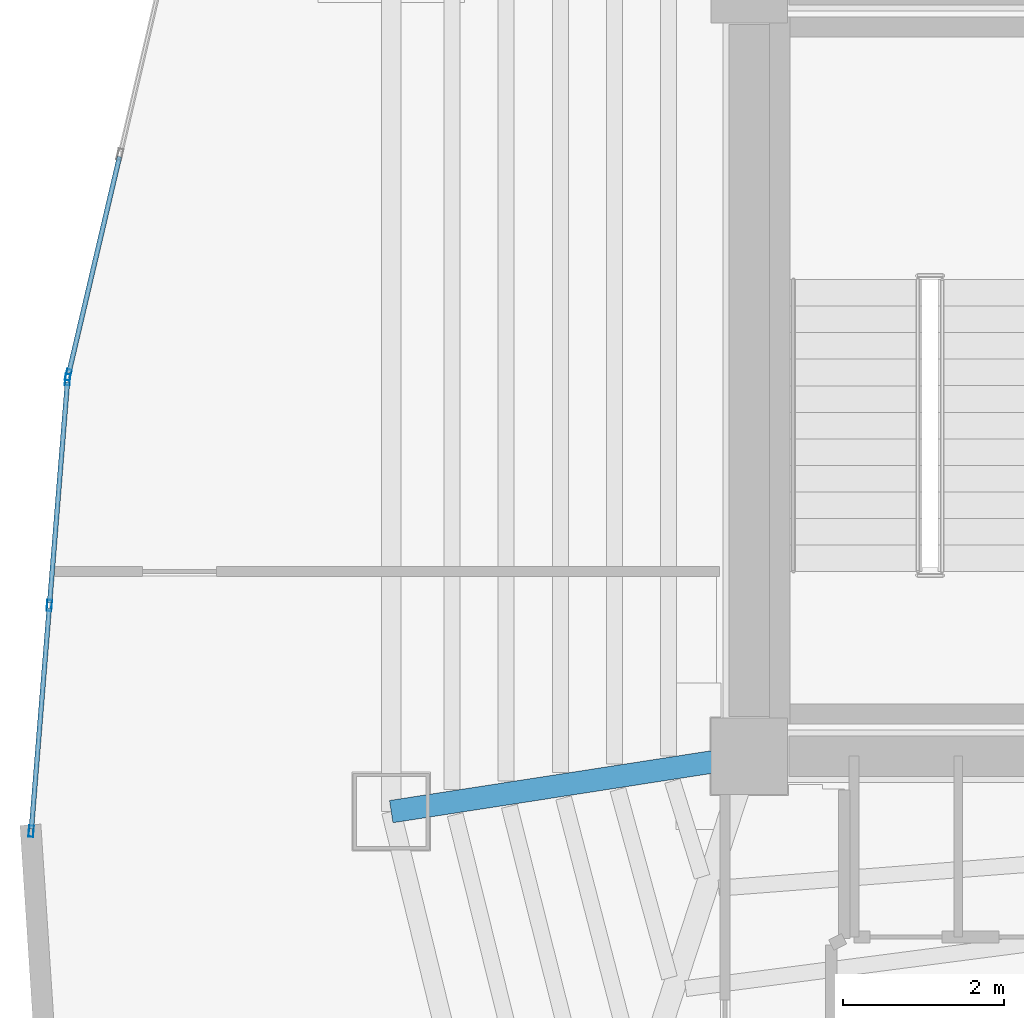
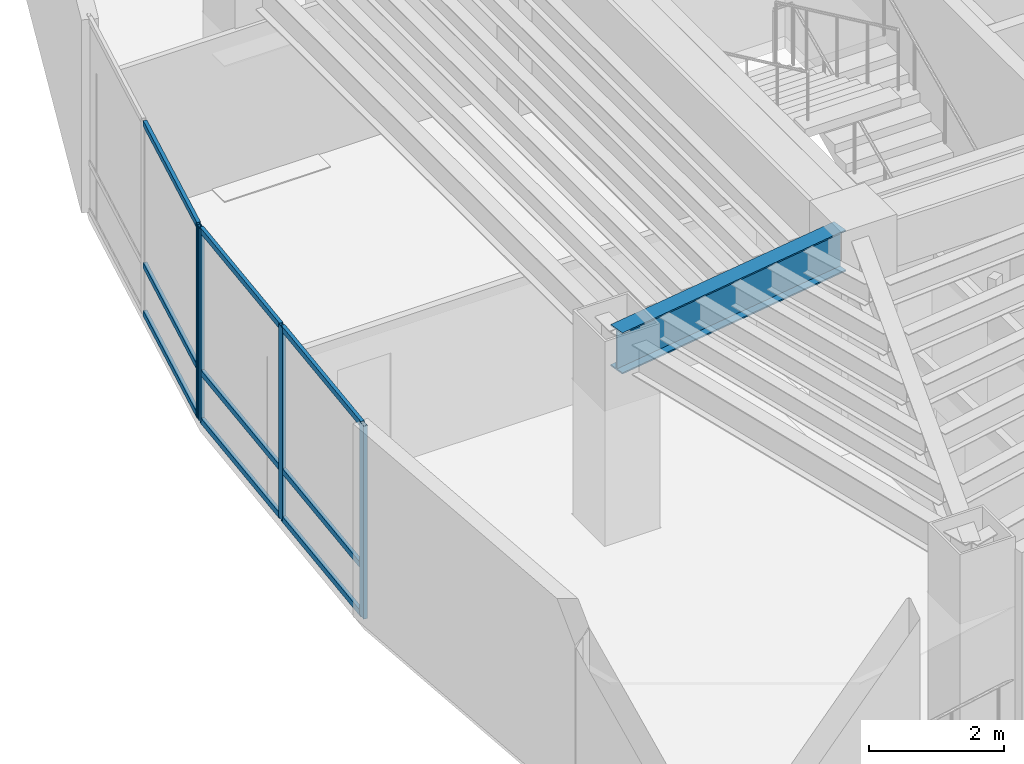
# One storey, part 2 of 15: 13 members, 1 beam, 2 elements without a shape of their own.
"""IFC4 building model written with IfcOpenShell, lengths in metres."""

from ifc_helpers import new_model, si_unit, direction, frame, origin, origin_2d, place, context, subcontext, project, spatial, hollow_rectangle, i_section, extrude, material, layer, layer_set, material_profile, profile_set, type_object, element, aggregate, save


model = new_model("IFC4")

# Units and contexts
model_context = context("Model", 3, precision=1e-05, world=origin(), true_north=direction((0.0, 1.0)))
body_context = subcontext(model_context, "Body", "Model", "MODEL_VIEW")
ifc_project = project(units=[si_unit("LENGTHUNIT", "METRE"), si_unit("AREAUNIT", "SQUARE_METRE"), si_unit("VOLUMEUNIT", "CUBIC_METRE"), si_unit("PLANEANGLEUNIT", "RADIAN"), si_unit("MASSUNIT", "GRAM", prefix="KILO")], contexts=[model_context])

# Site, building, storey
site_placement = place(None, origin())
site = spatial("IfcSite", under=ifc_project, at=site_placement, CompositionType="ELEMENT")
building_placement = place(site_placement, origin())
building = spatial("IfcBuilding", under=site, at=building_placement, Name="Menara Vayukalpa", CompositionType="ELEMENT")
storey_placement = place(building_placement, frame((0.0, 0.0, 180.360107421875)))
storey = spatial("IfcBuildingStorey", under=building, at=storey_placement, Name="L45", CompositionType="ELEMENT", Elevation=180.360107421875)

# Beam
ifc_material_1 = material(Name="Steel S355", Category="steel")
ifc_material_profile_1 = material_profile(ifc_material_1, i_section(OverallWidth=0.280029296875, OverallDepth=0.75, WebThickness=0.013916015625, FlangeThickness=0.02490234375, at=origin_2d()), Name="WF 750x280x14x25")
ifc_profile_set_1 = profile_set([ifc_material_profile_1], Name="Steel S355")
beam_type = type_object("IfcBeamType", Name="BM-PG4", PredefinedType="BEAM", material=ifc_profile_set_1)
beam_placement = place(storey_placement, frame((17.552978515625, 17.161865234375, 3.125), z_axis=(-0.988244781219, -0.152879862617, 0.0), x_axis=(0.152879862617, -0.988244781219, 0.0)))
element("IfcBeam", 1, at=beam_placement, inside=storey, type_object=beam_type, Name="L45 Primary Radial Girder RG06", PredefinedType="BEAM", context=body_context, shape_type="SweptSolid", body=[
    extrude(i_section(OverallWidth=0.280029296875, OverallDepth=0.75, WebThickness=0.013916015625, FlangeThickness=0.02490234375, at=origin_2d()), origin(), (0.0, 0.0, 1.0), 4.259033203125),
])

# Curtain wall, member
ifc_material_2 = material(Name="Anodised Terracotta Aluminium Alloy 6063-T6", Category="masonry")
ifc_layer = layer(ifc_material_2, 0.139892578125)
ifc_layer_set = layer_set([ifc_layer], Name="Anodised Terracotta Aluminium Alloy 6063-T6")
curtain_wall_type = type_object("IfcCurtainWallType", Name="CW-CW5", PredefinedType="USERDEFINED", material=ifc_layer_set)
curtain_wall_1_placement = place(storey_placement, origin())
curtain_wall_1 = element("IfcCurtainWall", 2, at=curtain_wall_1_placement, inside=storey, type_object=curtain_wall_type, Name="L45 High Rise Tapered Curtain Wall CW5 10", ObjectType="UNITISED", PredefinedType="USERDEFINED")
ifc_material_3 = material(Name="Anodised Terracotta Aluminium Alloy 6063-T6", Category="masonry")
ifc_material_profile_2 = material_profile(ifc_material_3, hollow_rectangle(XDim=0.06005859375, YDim=0.139892578125, WallThickness=0.00341796875, at=origin_2d()), Name="ALU 60x140x3.5")
ifc_profile_set_2 = profile_set([ifc_material_profile_2], Name="Anodised Terracotta Aluminium Alloy 6063-T6")
member_type_1 = type_object("IfcMemberType", Name="CWM-CW5", PredefinedType="MULLION", material=ifc_profile_set_2)
member_1_placement = place(storey_placement, frame((9.326416015625, 21.94482421875, 0.0), z_axis=(0.0, 0.0, 1.0), x_axis=(0.973626241643, -0.228148946052, 0.0)))
member_1 = element("IfcMember", 3, at=member_1_placement, type_object=member_type_1, Name="CW5 mullion 3", PredefinedType="MULLION", context=body_context, shape_type="SweptSolid", body=[
    extrude(hollow_rectangle(XDim=0.06005859375, YDim=0.139892578125, WallThickness=0.00341796875, at=origin_2d()), origin(), (0.0, 0.0, 1.0), 3.5),
])

# Curtain wall, members
curtain_wall_2_placement = place(storey_placement, origin())
curtain_wall_2 = element("IfcCurtainWall", 4, at=curtain_wall_2_placement, inside=storey, type_object=curtain_wall_type, Name="L45 High Rise Tapered Curtain Wall CW5 11", ObjectType="UNITISED", PredefinedType="USERDEFINED")
member_2_placement = place(storey_placement, frame((9.317138671875, 21.8857421875, 0.0), z_axis=(0.0, 0.0, 1.0), x_axis=(0.996764794256, -0.080373782609, 0.0)))
member_2 = element("IfcMember", 5, at=member_2_placement, type_object=member_type_1, Name="CW5 mullion 1", PredefinedType="MULLION", context=body_context, shape_type="SweptSolid", body=[
    extrude(hollow_rectangle(XDim=0.06005859375, YDim=0.139892578125, WallThickness=0.00341796875, at=origin_2d()), origin(), (0.0, 0.0, 1.0), 3.5),
])
member_3_placement = place(storey_placement, frame((9.090576171875, 19.076416015625, 0.0), z_axis=(0.0, 0.0, 1.0), x_axis=(0.996764794256, -0.080373782609, 0.0)))
member_3 = element("IfcMember", 6, at=member_3_placement, type_object=member_type_1, Name="CW5 mullion 2", PredefinedType="MULLION", context=body_context, shape_type="SweptSolid", body=[
    extrude(hollow_rectangle(XDim=0.06005859375, YDim=0.139892578125, WallThickness=0.00341796875, at=origin_2d()), origin(), (0.0, 0.0, 1.0), 3.5),
])
member_4_placement = place(storey_placement, frame((8.864013671875, 16.266845703125, 0.0), z_axis=(0.0, 0.0, 1.0), x_axis=(0.996764794256, -0.080373782609, 0.0)))
member_4 = element("IfcMember", 7, at=member_4_placement, type_object=member_type_1, Name="CW5 mullion 3", PredefinedType="MULLION", context=body_context, shape_type="SweptSolid", body=[
    extrude(hollow_rectangle(XDim=0.06005859375, YDim=0.139892578125, WallThickness=0.00341796875, at=origin_2d()), origin(), (0.0, 0.0, 1.0), 3.5),
])

# Member
ifc_material_4 = material(Name="Anodised Terracotta Aluminium Alloy 6063-T6", Category="masonry")
ifc_material_profile_3 = material_profile(ifc_material_4, hollow_rectangle(XDim=0.06005859375, YDim=0.10498046875, WallThickness=0.0029296875, at=origin_2d()), Name="ALU 60x105x3")
ifc_profile_set_3 = profile_set([ifc_material_profile_3], Name="Anodised Terracotta Aluminium Alloy 6063-T6")
member_type_2 = type_object("IfcMemberType", Name="CWT-CW5", PredefinedType="USERDEFINED", material=ifc_profile_set_3)
member_5_placement = place(storey_placement, frame((9.962646484375, 24.659912109375, 0.02978515625), z_axis=(-0.228161173023, -0.973623376427, 0.0), x_axis=(0.973623376427, -0.228161173023, 0.0)))
member_5 = element("IfcMember", 8, at=member_5_placement, type_object=member_type_2, Name="CW5 transom 2.1", ObjectType="TRANSOM", PredefinedType="USERDEFINED", context=body_context, shape_type="SweptSolid", body=[
    extrude(hollow_rectangle(XDim=0.06005859375, YDim=0.10498046875, WallThickness=0.0029296875, at=origin_2d()), origin(), (0.0, 0.0, 1.0), 2.758544921875),
])

member_6_placement = place(storey_placement, frame((9.962646484375, 24.659912109375, 0.89990234375), z_axis=(-0.228161173023, -0.973623376427, 0.0), x_axis=(0.973623376427, -0.228161173023, 0.0)))
member_6 = element("IfcMember", 9, at=member_6_placement, type_object=member_type_2, Name="CW5 transom 2.2", ObjectType="TRANSOM", PredefinedType="USERDEFINED", context=body_context, shape_type="SweptSolid", body=[
    extrude(hollow_rectangle(XDim=0.06005859375, YDim=0.10498046875, WallThickness=0.0029296875, at=origin_2d()), origin(), (0.0, 0.0, 1.0), 2.758544921875),
])

member_7_placement = place(storey_placement, frame((9.962646484375, 24.659912109375, 3.469970703125), z_axis=(-0.228161173023, -0.973623376427, 0.0), x_axis=(0.973623376427, -0.228161173023, 0.0)))
member_7 = element("IfcMember", 10, at=member_7_placement, type_object=member_type_2, Name="CW5 transom 2.3", ObjectType="TRANSOM", PredefinedType="USERDEFINED", context=body_context, shape_type="SweptSolid", body=[
    extrude(hollow_rectangle(XDim=0.06005859375, YDim=0.10498046875, WallThickness=0.0029296875, at=origin_2d()), origin(), (0.0, 0.0, 1.0), 2.758544921875),
])

aggregate(curtain_wall_1, [member_1, member_5, member_6, member_7])

member_8_placement = place(storey_placement, frame((9.314697265625, 21.85595703125, 0.02978515625), z_axis=(-0.080357244422, -0.996766127669, 0.0), x_axis=(0.996766127669, -0.080357244422, 0.0)))
member_8 = element("IfcMember", 11, at=member_8_placement, type_object=member_type_2, Name="CW5 transom 1.1", ObjectType="TRANSOM", PredefinedType="USERDEFINED", context=body_context, shape_type="SweptSolid", body=[
    extrude(hollow_rectangle(XDim=0.06005859375, YDim=0.10498046875, WallThickness=0.0029296875, at=origin_2d()), origin(), (0.0, 0.0, 1.0), 2.7587890625),
])

member_9_placement = place(storey_placement, frame((9.314697265625, 21.85595703125, 0.89990234375), z_axis=(-0.080357244422, -0.996766127669, 0.0), x_axis=(0.996766127669, -0.080357244422, 0.0)))
member_9 = element("IfcMember", 12, at=member_9_placement, type_object=member_type_2, Name="CW5 transom 1.2", ObjectType="TRANSOM", PredefinedType="USERDEFINED", context=body_context, shape_type="SweptSolid", body=[
    extrude(hollow_rectangle(XDim=0.06005859375, YDim=0.10498046875, WallThickness=0.0029296875, at=origin_2d()), origin(), (0.0, 0.0, 1.0), 2.7587890625),
])

member_10_placement = place(storey_placement, frame((9.314697265625, 21.85595703125, 3.469970703125), z_axis=(-0.080357244422, -0.996766127669, 0.0), x_axis=(0.996766127669, -0.080357244422, 0.0)))
member_10 = element("IfcMember", 13, at=member_10_placement, type_object=member_type_2, Name="CW5 transom 1.3", ObjectType="TRANSOM", PredefinedType="USERDEFINED", context=body_context, shape_type="SweptSolid", body=[
    extrude(hollow_rectangle(XDim=0.06005859375, YDim=0.10498046875, WallThickness=0.0029296875, at=origin_2d()), origin(), (0.0, 0.0, 1.0), 2.7587890625),
])

member_11_placement = place(storey_placement, frame((9.088134765625, 19.04638671875, 0.02978515625), z_axis=(-0.080364333597, -0.996765556129, 0.0), x_axis=(0.996765556129, -0.080364333597, 0.0)))
member_11 = element("IfcMember", 14, at=member_11_placement, type_object=member_type_2, Name="CW5 transom 2.1", ObjectType="TRANSOM", PredefinedType="USERDEFINED", context=body_context, shape_type="SweptSolid", body=[
    extrude(hollow_rectangle(XDim=0.06005859375, YDim=0.10498046875, WallThickness=0.0029296875, at=origin_2d()), origin(), (0.0, 0.0, 1.0), 2.758544921875),
])

member_12_placement = place(storey_placement, frame((9.088134765625, 19.04638671875, 0.89990234375), z_axis=(-0.080364333597, -0.996765556129, 0.0), x_axis=(0.996765556129, -0.080364333597, 0.0)))
member_12 = element("IfcMember", 15, at=member_12_placement, type_object=member_type_2, Name="CW5 transom 2.2", ObjectType="TRANSOM", PredefinedType="USERDEFINED", context=body_context, shape_type="SweptSolid", body=[
    extrude(hollow_rectangle(XDim=0.06005859375, YDim=0.10498046875, WallThickness=0.0029296875, at=origin_2d()), origin(), (0.0, 0.0, 1.0), 2.758544921875),
])

member_13_placement = place(storey_placement, frame((9.088134765625, 19.04638671875, 3.469970703125), z_axis=(-0.080364333597, -0.996765556129, 0.0), x_axis=(0.996765556129, -0.080364333597, 0.0)))
member_13 = element("IfcMember", 16, at=member_13_placement, type_object=member_type_2, Name="CW5 transom 2.3", ObjectType="TRANSOM", PredefinedType="USERDEFINED", context=body_context, shape_type="SweptSolid", body=[
    extrude(hollow_rectangle(XDim=0.06005859375, YDim=0.10498046875, WallThickness=0.0029296875, at=origin_2d()), origin(), (0.0, 0.0, 1.0), 2.758544921875),
])

aggregate(curtain_wall_2, [member_2, member_3, member_4, member_8, member_9, member_10, member_11, member_12, member_13])

save(model, "model.ifc")
